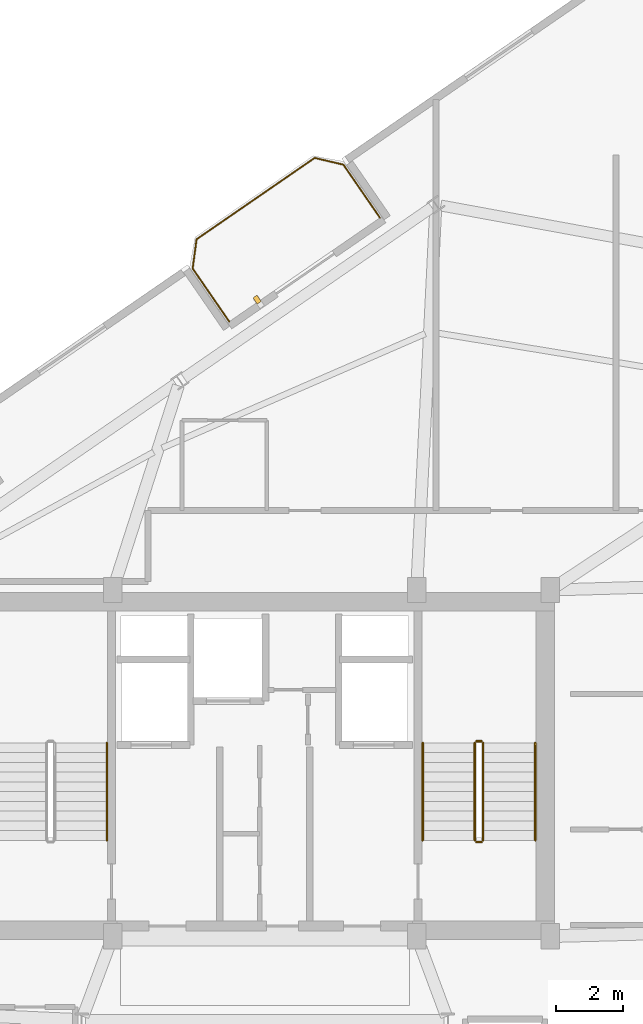
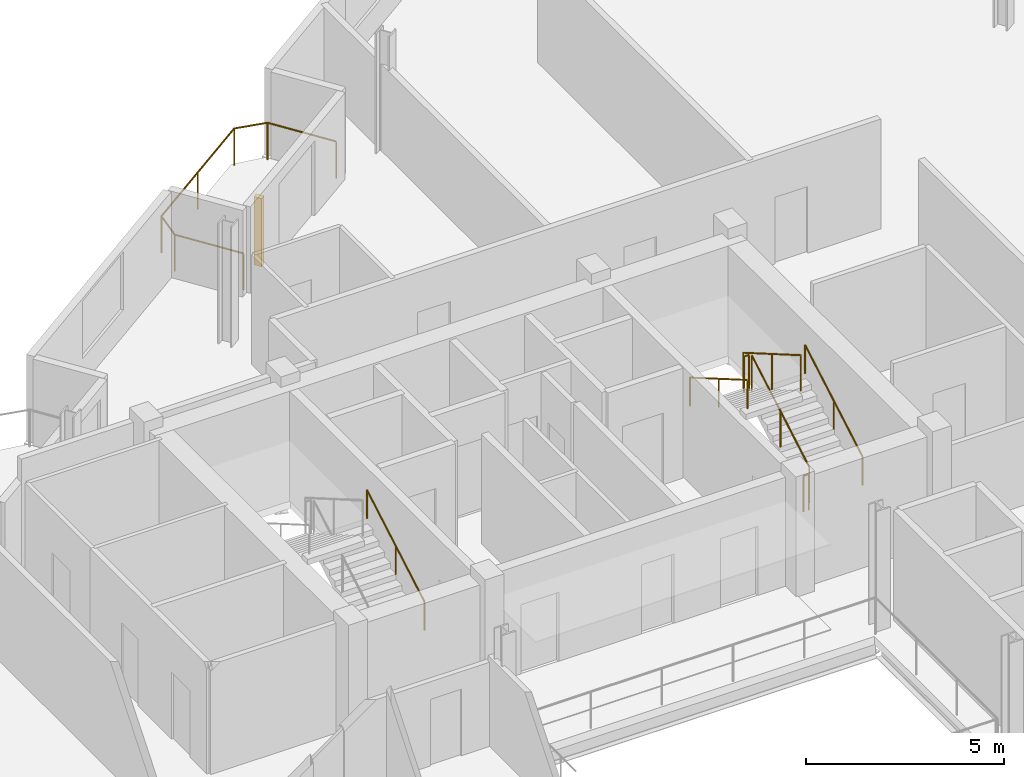
# One storey, part 23 of 23: 8 railings, 1 shading device.
"""IFC4 building model written with IfcOpenShell, lengths in metres."""

from ifc_helpers import new_model, si_unit, direction, frame, origin, origin_2d, place, context, subcontext, project, spatial, rectangle, circle, extrude, source, transform, mapped, material, type_object, element, save


model = new_model("IFC4")

# Units and contexts
model_context = context("Model", 3, precision=1e-05, world=origin(), true_north=direction((0.0, 1.0)))
body_context = subcontext(model_context, "Body", "Model", "MODEL_VIEW")
ifc_project = project(units=[si_unit("LENGTHUNIT", "METRE"), si_unit("AREAUNIT", "SQUARE_METRE"), si_unit("VOLUMEUNIT", "CUBIC_METRE"), si_unit("PLANEANGLEUNIT", "RADIAN"), si_unit("MASSUNIT", "GRAM", prefix="KILO")], contexts=[model_context])

# Site, building, storey
site_placement = place(None, origin())
site = spatial("IfcSite", under=ifc_project, at=site_placement, CompositionType="ELEMENT")
building_placement = place(site_placement, origin())
building = spatial("IfcBuilding", under=site, at=building_placement, Name="Varnelok Gate Tower", CompositionType="ELEMENT")
storey_placement = place(building_placement, frame((0.0, 0.0, 287.800048828125)))
storey = spatial("IfcBuildingStorey", under=building, at=storey_placement, Name="L74", CompositionType="ELEMENT", Elevation=287.800048828125)

# Railings
ifc_material_1 = material(Name="Low-E Laminated Double Glazing IGU", Category="glass")
railing_type_1 = type_object("IfcRailingType", Name="RL-BALC-1150", PredefinedType="BALUSTRADE", material=ifc_material_1)
railing_1_placement = place(storey_placement, frame((38.143310546875, 47.036376953125, 0.0)))
element("IfcRailing", 1, at=railing_1_placement, inside=storey, type_object=railing_type_1, Name="L74 North Terrace Balustrade 6", PredefinedType="BALUSTRADE", context=body_context, shape_type="SweptSolid", body=[
    extrude(circle(Radius=0.02392578125, at=origin_2d()), frame((0.0, 0.0, 1.1259765625), z_axis=(-0.567284155424, 0.82352212296, 0.0), x_axis=(-0.82352212296, -0.567284155424, 0.0)), (0.0, 0.0, 1.0), 1.919921875),
    extrude(circle(Radius=0.02392578125, at=origin_2d()), frame((-1.089111328125, 1.5810546875, 1.1259765625), z_axis=(0.133238627421, 0.991083986433, 0.0), x_axis=(-0.991083986433, 0.133238627421, 0.0)), (0.0, 0.0, 1.0), 0.877685546875),
    extrude(circle(Radius=0.02392578125, at=origin_2d()), frame((-0.97216796875, 2.450927734375, 1.1259765625), z_axis=(0.823530765458, 0.56727160897, 0.0), x_axis=(-0.56727160897, 0.823530765458, 0.0)), (0.0, 0.0, 1.0), 4.26708984375),
    extrude(circle(Radius=0.02392578125, at=origin_2d()), frame((2.5419921875, 4.87158203125, 1.1259765625), z_axis=(0.973573806257, -0.228372598553, 0.0), x_axis=(0.228372598553, 0.973573806257, 0.0)), (0.0, 0.0, 1.0), 0.877685546875),
    extrude(circle(Radius=0.02392578125, at=origin_2d()), frame((3.396484375, 4.671142578125, 1.1259765625), z_axis=(0.567224752248, -0.823563039747, 0.0), x_axis=(0.823563039747, 0.567224752248, 0.0)), (0.0, 0.0, 1.0), 1.920166015625),
    extrude(circle(Radius=0.02099609375, at=origin_2d()), origin(), (0.0, 0.0, 1.0), 1.101806640625),
    extrude(circle(Radius=0.02099609375, at=origin_2d()), frame((-1.089111328125, 1.5810546875, 0.0)), (0.0, 0.0, 1.0), 1.101806640625),
    extrude(circle(Radius=0.02099609375, at=origin_2d()), frame((-0.97216796875, 2.450927734375, 0.0)), (0.0, 0.0, 1.0), 1.101806640625),
    extrude(circle(Radius=0.02099609375, at=origin_2d()), frame((0.784912109375, 3.6611328125, 0.0)), (0.0, 0.0, 1.0), 1.101806640625),
    extrude(circle(Radius=0.02099609375, at=origin_2d()), frame((2.5419921875, 4.87158203125, 0.0)), (0.0, 0.0, 1.0), 1.101806640625),
    extrude(circle(Radius=0.02099609375, at=origin_2d()), frame((3.396484375, 4.671142578125, 0.0)), (0.0, 0.0, 1.0), 1.101806640625),
    extrude(circle(Radius=0.02099609375, at=origin_2d()), frame((4.485595703125, 3.08984375, 0.0)), (0.0, 0.0, 1.0), 1.101806640625),
])
ifc_material_2 = material(Name="Brushed Stainless Steel AISI 316", Category="steel")
railing_type_2 = type_object("IfcRailingType", Name="RL-HANDRAIL-900", PredefinedType="HANDRAIL", material=ifc_material_2)
for number, where, name in (
    (2, (34.5, 31.60009765625, 0.168212890625), "L74 ST-1 stair handrail 1"),
    (3, (47.25, 31.60009765625, 0.168212890625), "L74 ST-2 stair handrail 1"),
):
    element("IfcRailing", number, at=place(storey_placement, frame(where)), inside=storey, type_object=railing_type_2, Name=name, PredefinedType="HANDRAIL", context=body_context, shape_type="SweptSolid", body=[
        extrude(circle(Radius=0.02392578125, at=origin_2d()), frame((0.0, 0.0, 0.8759765625), z_axis=(0.0, 0.86507038078, 0.501650512107), x_axis=(-1.0, 0.0, 0.0)), (0.0, 0.0, 1.0), 3.352294921875),
        extrude(circle(Radius=0.02099609375, at=origin_2d()), origin(), (0.0, 0.0, 1.0), 0.851806640625),
        extrude(circle(Radius=0.02099609375, at=origin_2d()), frame((0.0, 1.449951171875, 0.8408203125)), (0.0, 0.0, 1.0), 0.851806640625),
        extrude(circle(Radius=0.02099609375, at=origin_2d()), frame((0.0, 2.89990234375, 1.681640625)), (0.0, 0.0, 1.0), 0.851806640625),
    ])
railing_2_placement = place(storey_placement, frame((43.89990234375, 34.5, 2.01806640625)))
element("IfcRailing", 4, at=railing_2_placement, inside=storey, type_object=railing_type_2, Name="L74 ST-2 stair handrail 2", PredefinedType="HANDRAIL", context=body_context, shape_type="SweptSolid", body=[
    extrude(circle(Radius=0.02392578125, at=origin_2d()), frame((0.0, 0.0, 0.8759765625), z_axis=(0.0, -0.865038774852, 0.501705010941), x_axis=(1.0, 0.0, 0.0)), (0.0, 0.0, 1.0), 3.352294921875),
    extrude(circle(Radius=0.02099609375, at=origin_2d()), origin(), (0.0, 0.0, 1.0), 0.851806640625),
    extrude(circle(Radius=0.02099609375, at=origin_2d()), frame((0.0, -1.449951171875, 0.8408203125)), (0.0, 0.0, 1.0), 0.851806640625),
    extrude(circle(Radius=0.02099609375, at=origin_2d()), frame((0.0, -2.89990234375, 1.681884765625)), (0.0, 0.0, 1.0), 0.851806640625),
])
ifc_material_3 = material(Name="Galvanized Steel Grade S350GD", Category="steel")
railing_type_3 = type_object("IfcRailingType", Name="RL-STAIR-GUARD1120", PredefinedType="GUARDRAIL", material=ifc_material_3)
railing_3_placement = place(storey_placement, frame((45.699951171875, 31.60009765625, 0.168212890625)))
element("IfcRailing", 5, at=railing_3_placement, inside=storey, type_object=railing_type_3, Name="L74 ST-2 stair guard 1", PredefinedType="GUARDRAIL", context=body_context, shape_type="SweptSolid", body=[
    extrude(circle(Radius=0.02392578125, at=origin_2d()), frame((0.0, 0.0, 1.09619140625), z_axis=(0.0, 0.86507038078, 0.501650512107), x_axis=(-1.0, 0.0, 0.0)), (0.0, 0.0, 1.0), 3.352294921875),
    extrude(circle(Radius=0.02099609375, at=origin_2d()), origin(), (0.0, 0.0, 1.0), 1.072021484375),
    extrude(circle(Radius=0.02099609375, at=origin_2d()), frame((0.0, 1.449951171875, 0.8408203125)), (0.0, 0.0, 1.0), 1.072021484375),
    extrude(circle(Radius=0.02099609375, at=origin_2d()), frame((0.0, 2.89990234375, 1.681640625)), (0.0, 0.0, 1.0), 1.072021484375),
])
railing_4_placement = place(storey_placement, frame((45.64990234375, 34.550048828125, 1.849853515625)))
element("IfcRailing", 6, at=railing_4_placement, inside=storey, type_object=railing_type_3, Name="L74 ST-2 stair guard 2", PredefinedType="GUARDRAIL", context=body_context, shape_type="SweptSolid", body=[
    extrude(circle(Radius=0.02392578125, at=origin_2d()), frame((0.0, 0.0, 1.09619140625), z_axis=(-1.0, 0.0, 0.0), x_axis=(0.0, -1.0, 0.0)), (0.0, 0.0, 1.0), 0.14990234375),
    extrude(circle(Radius=0.02099609375, at=origin_2d()), origin(), (0.0, 0.0, 1.0), 1.072021484375),
    extrude(circle(Radius=0.02099609375, at=origin_2d()), frame((-0.14990234375, 0.0, 0.0)), (0.0, 0.0, 1.0), 1.072021484375),
])
railing_5_placement = place(storey_placement, frame((45.449951171875, 34.5, 2.01806640625)))
element("IfcRailing", 7, at=railing_5_placement, inside=storey, type_object=railing_type_3, Name="L74 ST-2 stair guard 3", PredefinedType="GUARDRAIL", context=body_context, shape_type="SweptSolid", body=[
    extrude(circle(Radius=0.02392578125, at=origin_2d()), frame((0.0, 0.0, 1.09619140625), z_axis=(0.0, -0.865038774852, 0.501705010941), x_axis=(1.0, 0.0, 0.0)), (0.0, 0.0, 1.0), 3.352294921875),
    extrude(circle(Radius=0.02099609375, at=origin_2d()), origin(), (0.0, 0.0, 1.0), 1.072021484375),
    extrude(circle(Radius=0.02099609375, at=origin_2d()), frame((0.0, -1.449951171875, 0.8408203125)), (0.0, 0.0, 1.0), 1.072021484375),
    extrude(circle(Radius=0.02099609375, at=origin_2d()), frame((0.0, -2.89990234375, 1.681884765625)), (0.0, 0.0, 1.0), 1.072021484375),
])
railing_6_placement = place(storey_placement, frame((45.64990234375, 31.550048828125, 0.0)))
element("IfcRailing", 8, at=railing_6_placement, inside=storey, type_object=railing_type_3, Name="L74 ST-2 stair guard 4", PredefinedType="GUARDRAIL", context=body_context, shape_type="SweptSolid", body=[
    extrude(circle(Radius=0.02392578125, at=origin_2d()), frame((0.0, 0.0, 1.09619140625), z_axis=(-1.0, 0.0, 0.0), x_axis=(0.0, -1.0, 0.0)), (0.0, 0.0, 1.0), 0.14990234375),
    extrude(circle(Radius=0.02099609375, at=origin_2d()), origin(), (0.0, 0.0, 1.0), 1.072021484375),
    extrude(circle(Radius=0.02099609375, at=origin_2d()), frame((-0.14990234375, 0.0, 0.0)), (0.0, 0.0, 1.0), 1.072021484375),
])

# Shading device
ifc_material_4 = material(Name="Glazed Architectural Terracotta Ceramic", Category="masonry")
shading_device_type = type_object("IfcShadingDeviceType", Name="SHD-TERRA-BAGUETTE", PredefinedType="USERDEFINED", material=ifc_material_4)
shared_shape = source(origin(), body_context, "Body", "SweptSolid", [
    extrude(rectangle(XDim=0.139892578125, YDim=0.219970703125, at=origin_2d()), origin(), (0.0, 0.0, 1.0), 2.10009765625),
])
shading_device_placement = place(storey_placement, frame((38.970947265625, 47.69140625, 0.099853515625), z_axis=(0.0, 0.0, 1.0), x_axis=(0.823532597628, 0.567268949127, 0.0)))
element("IfcShadingDevice", 9, at=shading_device_placement, inside=storey, type_object=shading_device_type, Name="L74 Terracotta Ceramic Baguette Sunscreen 6.1", ObjectType="BAGUETTE", PredefinedType="USERDEFINED", context=body_context, shape_type="MappedRepresentation", body=[
    mapped(shared_shape, transform((0.0, 0.0, 0.0), scale=1.0)),
])

save(model, "model.ifc")
